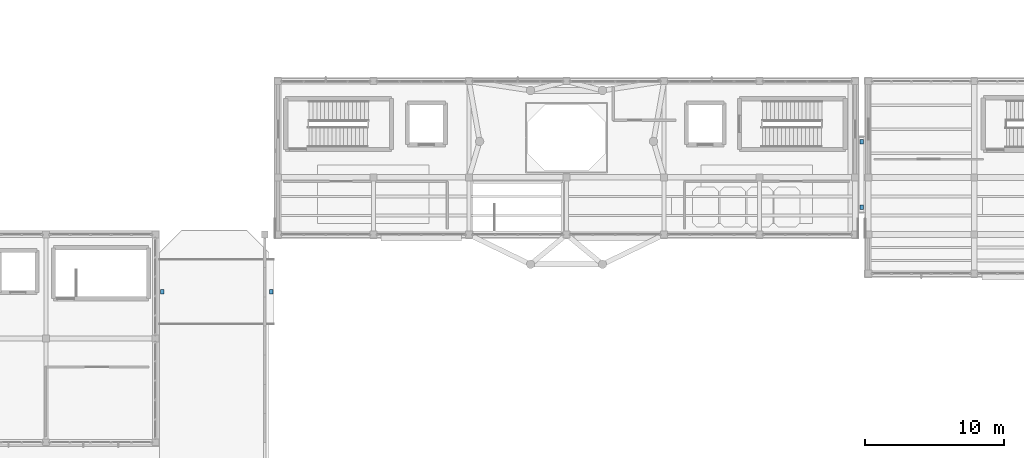
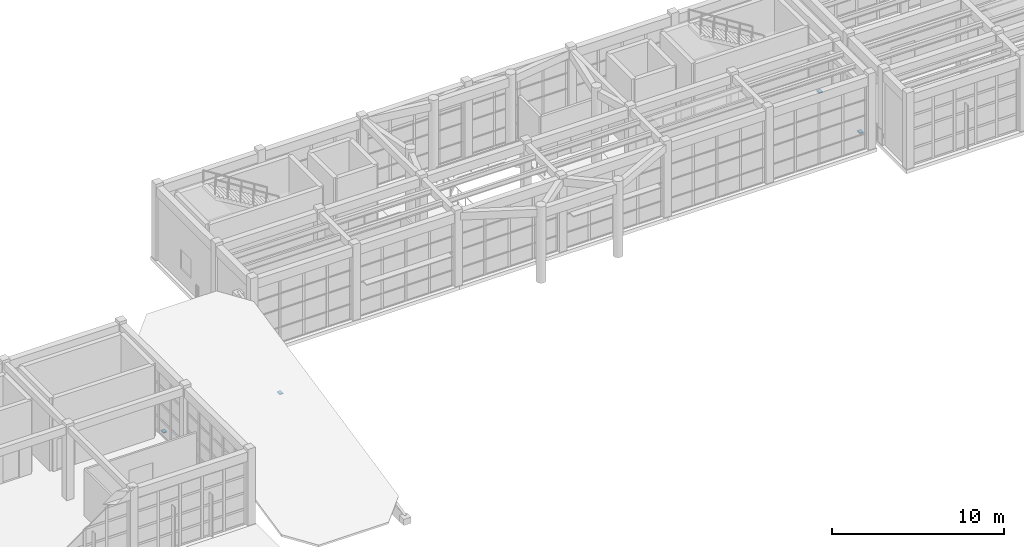
# One storey, part 95 of 103: 4 discrete accessories.
"""IFC4 building model written with IfcOpenShell, lengths in metres."""

import ifcopenshell
import ifcopenshell.guid

model = None  # the IFC model being written
_history = None  # IfcOwnerHistory: only IFC2X3 demands one
_inside = {}  # id of a spatial element -> (the spatial element, [elements in it])
_under = {}  # id of a project, library or spatial element -> (it, [spatial elements below it])
_declared = {}  # id of a project -> (the project, [libraries it declares])
_typed = {}  # id of a type object -> (the type object, [elements of that type])
_made_of = {}  # id of a material, layer set ... -> (it, [elements and type objects made of it])


def new_model(schema):
    """Start an empty IFC model of exactly this schema.

    Asked for "IFC4X3", IfcOpenShell would pick the latest addendum, in which some entities
    have other attributes; the version numbers below select the first issue.
    IFC2X3 requires an IfcOwnerHistory on every rooted entity: one is made here for all.
    """
    global model, _history
    if schema == "IFC4X3":
        model = ifcopenshell.file(schema_version=(4, 3, 0, 0))
    else:
        model = ifcopenshell.file(schema=schema)
    _inside.clear()
    _under.clear()
    _declared.clear()
    _typed.clear()
    _made_of.clear()
    _history = None
    if model.schema == "IFC2X3":
        org = make("IfcOrganization", Name="unknown")
        user = make(
            "IfcPersonAndOrganization",
            ThePerson=make("IfcPerson", FamilyName="unknown"),
            TheOrganization=org,
        )
        app = make(
            "IfcApplication",
            ApplicationDeveloper=org,
            Version="unknown",
            ApplicationFullName="unknown",
            ApplicationIdentifier="unknown",
        )
        _history = make(
            "IfcOwnerHistory",
            OwningUser=user,
            OwningApplication=app,
            ChangeAction="ADDED",
            CreationDate=0,
        )
    return model


def make(cls, **values):
    """One entity of the class cls with the attributes given. An attribute that is None is left unset."""
    return model.create_entity(
        cls, **{name: value for name, value in values.items() if value is not None}
    )


def rooted(cls, **values):
    """An entity with a GlobalId (a new one), such as an element, a storey or a relation."""
    return make(cls, GlobalId=ifcopenshell.guid.new(), OwnerHistory=_history, **values)


def si_unit(unit_type, name, prefix=None):
    """IfcSIUnit, for example si_unit("LENGTHUNIT", "METRE", prefix="MILLI")."""
    return make("IfcSIUnit", UnitType=unit_type, Prefix=prefix, Name=name)


def assignment(units):
    """IfcUnitAssignment: the units of a project."""
    return None if units is None else make("IfcUnitAssignment", Units=units)


def point(xyz):
    """IfcCartesianPoint."""
    return None if xyz is None else make("IfcCartesianPoint", Coordinates=xyz)


def direction(xyz):
    """IfcDirection."""
    return None if xyz is None else make("IfcDirection", DirectionRatios=xyz)


def frame(location, z_axis=None, x_axis=None):
    """IfcAxis2Placement3D, a coordinate frame: its origin and axes. An axis left out is left unset."""
    return make(
        "IfcAxis2Placement3D",
        Location=point(location),
        Axis=direction(z_axis),
        RefDirection=direction(x_axis),
    )


def frame_2d(location, x_axis=None):
    """IfcAxis2Placement2D, a coordinate frame in the plane: its origin and x axis."""
    return make(
        "IfcAxis2Placement2D", Location=point(location), RefDirection=direction(x_axis)
    )


def origin():
    """The frame at (0, 0, 0) with its axes left unset."""
    return frame((0.0, 0.0, 0.0))


def origin_2d():
    """The frame at (0, 0) in the plane with its x axis left unset."""
    return frame_2d((0.0, 0.0))


def place(relative_to, where):
    """IfcLocalPlacement: puts the frame where relative to a parent placement (None: the world)."""
    return make(
        "IfcLocalPlacement", PlacementRelTo=relative_to, RelativePlacement=where
    )


def context(
    kind, dimensions, precision=None, world=None, true_north=None, identifier=None
):
    """IfcGeometricRepresentationContext, for example the 3D "Model" context."""
    return make(
        "IfcGeometricRepresentationContext",
        ContextIdentifier=identifier,
        ContextType=kind,
        CoordinateSpaceDimension=dimensions,
        Precision=precision,
        WorldCoordinateSystem=world,
        TrueNorth=true_north,
    )


def subcontext(parent, identifier, kind, view, scale=None):
    """IfcGeometricRepresentationSubContext, for example "Body" below "Model"."""
    return make(
        "IfcGeometricRepresentationSubContext",
        ContextIdentifier=identifier,
        ContextType=kind,
        ParentContext=parent,
        TargetScale=scale,
        TargetView=view,
    )


def project(units=None, contexts=None):
    """IfcProject with its units and contexts."""
    return rooted(
        "IfcProject",
        Name="project",
        RepresentationContexts=contexts,
        UnitsInContext=assignment(units),
    )


def spatial(cls, under=None, at=None, **own):
    """A site, building, storey or space (cls), placed at a placement, below another one or the project."""
    s = rooted(cls, ObjectPlacement=at, **own)
    if under is not None:
        _under.setdefault(under.id(), (under, []))[1].append(s)
    return s


def profile(cls, at=None, kind="AREA", **sizes):
    """A parametric profile (cls). Its sizes go by their IFC names, for example OverallWidth=200.0."""
    return make(cls, ProfileType=kind, Position=at, **sizes)


def rectangle(**sizes):
    """IfcRectangleProfileDef."""
    return profile("IfcRectangleProfileDef", **sizes)


def extrude(swept, where, along, depth):
    """IfcExtrudedAreaSolid: the profile swept, set in the frame where, extruded along a direction by depth."""
    return make(
        "IfcExtrudedAreaSolid",
        SweptArea=swept,
        Position=where,
        ExtrudedDirection=direction(along),
        Depth=depth,
    )


def shape(context_of_items, identifier, shape_type, items):
    """IfcShapeRepresentation: the items that make up one representation, for example the "Body"."""
    return make(
        "IfcShapeRepresentation",
        ContextOfItems=context_of_items,
        RepresentationIdentifier=identifier,
        RepresentationType=shape_type,
        Items=items,
    )


def material(Name=None, Category=None):
    """IfcMaterial."""
    return make("IfcMaterial", Name=Name, Category=Category)


def made_of(thing, what):
    """Note that an element or type object is made of a material, layer set ...; save() writes the relation."""
    if what is not None:
        _made_of.setdefault(what.id(), (what, []))[1].append(thing)
    return thing


def type_object(cls, material=None, **own):
    """A type object (cls), such as IfcWallType, which elements share."""
    return made_of(rooted(cls, **own), material)


def element(
    cls,
    number,
    at=None,
    inside=None,
    cuts=None,
    type_object=None,
    material=None,
    context=None,
    identifier="Body",
    shape_type=None,
    held_by="IfcProductDefinitionShape",
    body=None,
    shapes=None,
    **own,
):
    """One element of the class cls, such as IfcWall. Its Tag is "e" and its number.

    at: its placement. inside: the storey or other place that contains it. cuts: it is an
    opening in that element (IfcRelVoidsElement). A single representation is given by context,
    identifier, shape_type and body (its items); several are given by shapes. held_by: the class
    of the entity that holds the representations. save() writes the other relations.
    """
    e = rooted(cls, Tag="e%d" % number, ObjectPlacement=at, **own)
    if body is not None:
        shapes = [shape(context, identifier, shape_type, body)]
    if shapes is not None:
        e.Representation = make(held_by, Representations=shapes)
    if inside is not None:
        _inside.setdefault(inside.id(), (inside, []))[1].append(e)
    if cuts is not None:
        rooted(
            "IfcRelVoidsElement", RelatingBuildingElement=cuts, RelatedOpeningElement=e
        )
    if type_object is not None:
        _typed.setdefault(type_object.id(), (type_object, []))[1].append(e)
    return made_of(e, material)


def aggregate(whole, parts):
    """IfcRelAggregates: a whole, such as a stair, and the parts it consists of."""
    return rooted("IfcRelAggregates", RelatingObject=whole, RelatedObjects=parts)


def save(model, path):
    """Write the relations noted so far, then the file.

    IfcRelAggregates (storeys below a building ...), IfcRelContainedInSpatialStructure (elements
    in a storey), IfcRelDefinesByType, IfcRelAssociatesMaterial and IfcRelDeclares: one each for
    every whole, place, type object, material and project.
    """
    for whole, parts in _under.values():
        aggregate(whole, parts)
    for where, things in _inside.values():
        rooted(
            "IfcRelContainedInSpatialStructure",
            RelatedElements=things,
            RelatingStructure=where,
        )
    for kind, things in _typed.values():
        rooted("IfcRelDefinesByType", RelatedObjects=things, RelatingType=kind)
    for what, things in _made_of.values():
        rooted("IfcRelAssociatesMaterial", RelatedObjects=things, RelatingMaterial=what)
    for by, libraries in _declared.values():
        rooted("IfcRelDeclares", RelatingContext=by, RelatedDefinitions=libraries)
    model.write(path)


model = new_model("IFC4")

# Units and contexts
model_context = context("Model", 3, precision=1e-05, world=origin(), true_north=direction((0.0, 1.0)))
body_context = subcontext(model_context, "Body", "Model", "MODEL_VIEW")
ifc_project = project(units=[si_unit("LENGTHUNIT", "METRE"), si_unit("AREAUNIT", "SQUARE_METRE"), si_unit("VOLUMEUNIT", "CUBIC_METRE"), si_unit("PLANEANGLEUNIT", "RADIAN"), si_unit("MASSUNIT", "GRAM", prefix="KILO")], contexts=[model_context])

# Site, building, storey
site_placement = place(None, origin())
site = spatial("IfcSite", under=ifc_project, at=site_placement, CompositionType="ELEMENT")
building_placement = place(site_placement, origin())
building = spatial("IfcBuilding", under=site, at=building_placement, Name="Candilejo Ridge Gondola Terminal", CompositionType="ELEMENT")
storey_placement = place(building_placement, frame((0.0, 0.0, 9.0)))
storey = spatial("IfcBuildingStorey", under=building, at=storey_placement, Name="L02", CompositionType="ELEMENT", Elevation=9.0)

# Discrete accessories
ifc_material = material(Name="Steel ASTM A572 Grade 50", Category="steel")
discrete_accessory_type = type_object("IfcDiscreteAccessoryType", Name="STR-PTFE-SLIDING-BEARING", PredefinedType="BRACKET", material=ifc_material)
for number, where, name in (
    (1, (36.35009765625, 21.60009765625, -0.280029296875), "PTFE sliding bridge bearing BRK-LB-SJ1-L02-1"),
    (2, (44.14990234375, 21.60009765625, -0.280029296875), "PTFE sliding bridge bearing BRK-LB-SJ1-L02-2"),
    (3, (86.52490234375, 27.64990234375, -0.280029296875), "PTFE sliding bridge bearing BRK-LB-SJ2-L02-1"),
    (4, (86.52490234375, 32.35009765625, -0.280029296875), "PTFE sliding bridge bearing BRK-LB-SJ2-L02-2"),
):
    element("IfcDiscreteAccessory", number, at=place(storey_placement, frame(where)), inside=storey, type_object=discrete_accessory_type, Name=name, PredefinedType="BRACKET", context=body_context, shape_type="SweptSolid", body=[
        extrude(rectangle(XDim=0.25, YDim=0.320068359375, at=origin_2d()), origin(), (0.0, 0.0, 1.0), 0.06005859375),
    ])

save(model, "model.ifc")
